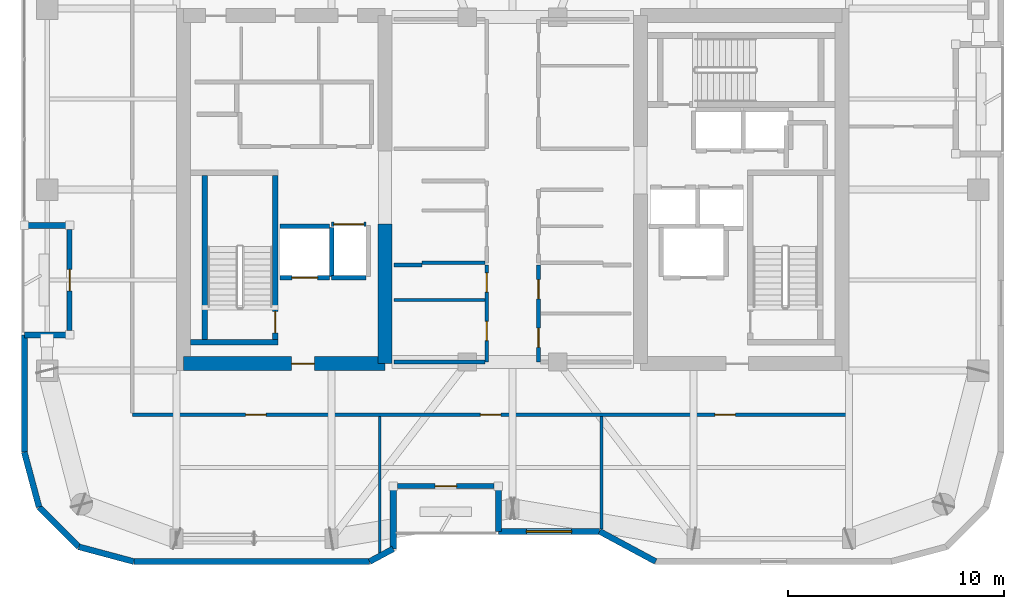
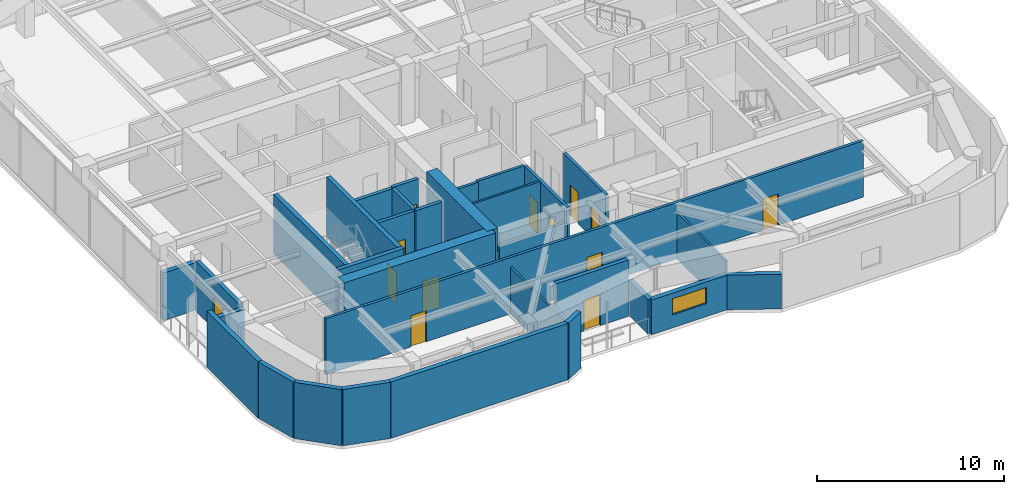
# One storey, part 15 of 21: 33 walls, 13 doors, 1 window, 14 openings.
"""IFC4 building model written with IfcOpenShell, lengths in metres."""

from ifc_helpers import new_model, si_unit, direction, frame, frame_2d, origin, place, context, subcontext, project, spatial, rectangle, extrude, material, layer, layer_set, type_object, element, fill, save


model = new_model("IFC4")

# Units and contexts
model_context = context("Model", 3, precision=1e-05, world=origin(), true_north=direction((0.0, 1.0)))
body_context = subcontext(model_context, "Body", "Model", "MODEL_VIEW")
ifc_project = project(units=[si_unit("LENGTHUNIT", "METRE"), si_unit("AREAUNIT", "SQUARE_METRE"), si_unit("VOLUMEUNIT", "CUBIC_METRE"), si_unit("PLANEANGLEUNIT", "RADIAN"), si_unit("MASSUNIT", "GRAM", prefix="KILO")], contexts=[model_context])

# Site, building, storey
site_placement = place(None, origin())
site = spatial("IfcSite", under=ifc_project, at=site_placement, CompositionType="ELEMENT")
building_placement = place(site_placement, origin())
building = spatial("IfcBuilding", under=site, at=building_placement, Name="Kiyonajd Concourse Tower", CompositionType="ELEMENT")
storey_placement = place(building_placement, frame((0.0, 0.0, 231.0)))
storey = spatial("IfcBuildingStorey", under=building, at=storey_placement, Name="L58", CompositionType="ELEMENT", Elevation=231.0)

# Wall
ifc_material_1 = material(Name="Concrete C60/75", Category="concrete")
ifc_layer_1 = layer(ifc_material_1, 0.64990234375)
ifc_layer_set_1 = layer_set([ifc_layer_1], Name="Concrete C60/75")
wall_type_1 = type_object("IfcWallType", Name="WL-CORE-650", PredefinedType="SHEAR", material=ifc_layer_set_1)
wall_1_placement = place(storey_placement, frame((42.074951171875, 27.925048828125, 0.0), z_axis=(0.0, 0.0, 1.0), x_axis=(0.0, 1.0, 0.0)))
element("IfcWall", 1, at=wall_1_placement, inside=storey, type_object=wall_type_1, Name="L58 West Core Inner South Shear Wall", PredefinedType="SHEAR", context=body_context, shape_type="SweptSolid", body=[
    extrude(rectangle(XDim=6.474853515625, YDim=0.64990234375, at=frame_2d((3.2373046875, 0.0))), origin(), (0.0, 0.0, 1.0), 3.89990234375),
])

# Wall, opening, door
wall_2_placement = place(storey_placement, frame((32.72509765625, 27.925048828125, 0.0), z_axis=(0.0, 0.0, 1.0), x_axis=(1.0, 0.0, 0.0)))
wall_2 = element("IfcWall", 2, at=wall_2_placement, inside=storey, type_object=wall_type_1, Name="L58 West Core South Shear Wall", PredefinedType="SHEAR", context=body_context, shape_type="SweptSolid", body=[
    extrude(rectangle(XDim=9.349853515625, YDim=0.64990234375, at=frame_2d((4.6748046875, 0.0))), origin(), (0.0, 0.0, 1.0), 3.89990234375),
])
opening_1_placement = place(wall_2_placement, frame((5.02490234375, 0.0, 0.0)))
opening_1 = element("IfcOpeningElement", 3, at=opening_1_placement, cuts=wall_2, Name="Opening DF5", PredefinedType="OPENING", context=body_context, shape_type="SweptSolid", body=[
    extrude(rectangle(XDim=1.050048828125, YDim=2.0400390625, at=frame_2d((0.52490234375, 1.02001953125))), frame((0.0, 0.3349609375, 0.0), z_axis=(0.0, -1.0, 0.0), x_axis=(1.0, 0.0, 0.0)), (0.0, 0.0, 1.0), 0.669921875),
])
ifc_material_2 = material(Name="Brushed Stainless Steel Cab Assembly", Category="steel")
door_type_1 = type_object("IfcDoorType", Name="DR-FD45-1050", OperationType="NOTDEFINED", PredefinedType="DOOR", material=ifc_material_2)
door_1_placement = place(opening_1_placement, origin())
door_1 = element("IfcDoor", 4, at=door_1_placement, inside=storey, type_object=door_type_1, Name="L58 Firefighting Lift Lobby W Smoke Door", OperationType="SINGLE_SWING_LEFT", OverallHeight=2.0400390625, OverallWidth=1.050048828125, PredefinedType="DOOR", context=body_context, shape_type="SweptSolid", body=[
    extrude(rectangle(XDim=1.050048828125, YDim=2.0400390625, at=frame_2d((0.52490234375, 1.02001953125))), frame((0.0, 0.02490234375, 0.0), z_axis=(0.0, -1.0, 0.0), x_axis=(1.0, 0.0, 0.0)), (0.0, 0.0, 1.0), 0.050048828125),
])
fill(opening_1, door_1)

# Walls
ifc_material_3 = material(Name="Precast concrete C50/60", Category="concrete")
ifc_layer_2 = layer(ifc_material_3, 0.280029296875)
ifc_layer_set_2 = layer_set([ifc_layer_2], Name="Precast concrete C50/60")
wall_type_2 = type_object("IfcWallType", Name="WL-EXT-280", PredefinedType="SOLIDWALL", material=ifc_layer_set_2)
wall_3_placement = place(storey_placement, frame((26.0224609375, 21.2724609375, 0.0), z_axis=(0.0, 0.0, 1.0), x_axis=(-0.2588904131, 0.965906700466, 0.0)))
element("IfcWall", 5, at=wall_3_placement, inside=storey, type_object=wall_type_2, Name="L58 Exterior Concrete Frame Wall 00", PredefinedType="SOLIDWALL", context=body_context, shape_type="SweptSolid", body=[
    extrude(rectangle(XDim=2.6357421875, YDim=0.280029296875, at=frame_2d((1.31787109375, 0.0))), origin(), (0.0, 0.0, 1.0), 3.679931640625),
])
wall_4_placement = place(storey_placement, frame((25.340087890625, 23.818359375, 0.0), z_axis=(0.0, 0.0, 1.0), x_axis=(0.0, 1.0, 0.0)))
element("IfcWall", 6, at=wall_4_placement, inside=storey, type_object=wall_type_2, Name="L58 Exterior Concrete Frame Wall 01", PredefinedType="SOLIDWALL", context=body_context, shape_type="SweptSolid", body=[
    extrude(rectangle(XDim=5.441650390625, YDim=0.280029296875, at=frame_2d((2.720703125, 0.0))), origin(), (0.0, 0.0, 1.0), 3.679931640625),
])
for number, where, z_axis, x_axis, name in (
    (7, (25.340087890625, 29.260009765625, 0.0), (0.0, 0.0, 1.0), (1.0, 0.0, 0.0), "L58 Exterior Concrete Frame Wall 02"),
    (8, (27.43994140625, 34.340087890625, 0.0), (0.0, 0.0, 1.0), (-1.0, 0.0, 0.0), "L58 Exterior Concrete Frame Wall 04"),
):
    element("IfcWall", number, at=place(storey_placement, frame(where, z_axis=z_axis, x_axis=x_axis)), inside=storey, type_object=wall_type_2, Name=name, PredefinedType="SOLIDWALL", context=body_context, shape_type="SweptSolid", body=[
        extrude(rectangle(XDim=2.099853515625, YDim=0.280029296875, at=frame_2d((1.0498046875, 0.0))), origin(), (0.0, 0.0, 1.0), 3.115966796875),
    ])
wall_5_placement = place(storey_placement, frame((54.63525390625, 18.739990234375, 0.0), z_axis=(0.0, 0.0, 1.0), x_axis=(-0.880473754814, 0.474094892488, 0.0)))
element("IfcWall", 9, at=wall_5_placement, inside=storey, type_object=wall_type_2, Name="L58 Exterior Concrete Frame Wall 29", PredefinedType="SOLIDWALL", context=body_context, shape_type="SweptSolid", body=[
    extrude(rectangle(XDim=2.952880859375, YDim=0.280029296875, at=frame_2d((1.4765625, 0.0))), origin(), (0.0, 0.0, 1.0), 2.264892578125),
])

# Wall, opening, window
wall_6_placement = place(storey_placement, frame((52.035400390625, 20.139892578125, 0.0), z_axis=(0.0, 0.0, 1.0), x_axis=(-1.0, 0.0, 0.0)))
wall_6 = element("IfcWall", 10, at=wall_6_placement, inside=storey, type_object=wall_type_2, Name="L58 Exterior Concrete Frame Wall 30", PredefinedType="SOLIDWALL", context=body_context, shape_type="SweptSolid", body=[
    extrude(rectangle(XDim=4.6953125, YDim=0.280029296875, at=frame_2d((2.34765625, 0.0))), origin(), (0.0, 0.0, 1.0), 2.264892578125),
])
opening_2_placement = place(wall_6_placement, frame((1.298095703125, 0.0, 0.85009765625)))
opening_2 = element("IfcOpeningElement", 11, at=opening_2_placement, cuts=wall_6, Name="Opening WN5", PredefinedType="OPENING", context=body_context, shape_type="SweptSolid", body=[
    extrude(rectangle(XDim=2.10009765625, YDim=1.050048828125, at=frame_2d((1.050048828125, 0.52490234375))), frame((0.0, 0.14990234375, 0.0), z_axis=(0.0, -1.0, 0.0), x_axis=(1.0, 0.0, 0.0)), (0.0, 0.0, 1.0), 0.300048828125),
])
ifc_material_4 = material(Name="Double Low-E Insulated Glass", Category="glass")
window_type = type_object("IfcWindowType", Name="WN-VIS-2100x1050", PartitioningType="SINGLE_PANEL", PredefinedType="WINDOW", material=ifc_material_4)
window_placement = place(opening_2_placement, origin())
window = element("IfcWindow", 12, at=window_placement, inside=storey, type_object=window_type, Name="L58 Modular Facade Vision Window 30", OverallHeight=1.050048828125, OverallWidth=2.10009765625, PartitioningType="SINGLE_PANEL", PredefinedType="WINDOW", context=body_context, shape_type="SweptSolid", body=[
    extrude(rectangle(XDim=2.10009765625, YDim=1.050048828125, at=frame_2d((1.050048828125, 0.52490234375))), frame((0.0, 0.030029296875, 0.0), z_axis=(0.0, -1.0, 0.0), x_axis=(1.0, 0.0, 0.0)), (0.0, 0.0, 1.0), 0.06005859375),
])
fill(opening_2, window)

# Walls
wall_7_placement = place(storey_placement, frame((47.340087890625, 20.139892578125, 0.0), z_axis=(0.0, 0.0, 1.0), x_axis=(0.0, 1.0, 0.0)))
element("IfcWall", 13, at=wall_7_placement, inside=storey, type_object=wall_type_2, Name="L58 Exterior Concrete Frame Wall 31", PredefinedType="SOLIDWALL", context=body_context, shape_type="SweptSolid", body=[
    extrude(rectangle(XDim=2.10009765625, YDim=0.280029296875, at=frame_2d((1.050048828125, 0.0))), origin(), (0.0, 0.0, 1.0), 2.264892578125),
])
wall_8_placement = place(storey_placement, frame((42.4599609375, 22.239990234375, 0.0), z_axis=(0.0, 0.0, 1.0), x_axis=(0.0, -1.0, 0.0)))
element("IfcWall", 14, at=wall_8_placement, inside=storey, type_object=wall_type_2, Name="L58 Exterior Concrete Frame Wall 33", PredefinedType="SOLIDWALL", context=body_context, shape_type="SweptSolid", body=[
    extrude(rectangle(XDim=2.910400390625, YDim=0.280029296875, at=frame_2d((1.455078125, 0.0))), origin(), (0.0, 0.0, 1.0), 2.264892578125),
])
wall_9_placement = place(storey_placement, frame((42.4599609375, 19.32958984375, 0.0), z_axis=(0.0, 0.0, 1.0), x_axis=(-0.880515214249, -0.474017887296, 0.0)))
element("IfcWall", 15, at=wall_9_placement, inside=storey, type_object=wall_type_2, Name="L58 Exterior Concrete Frame Wall 34", PredefinedType="SOLIDWALL", context=body_context, shape_type="SweptSolid", body=[
    extrude(rectangle(XDim=1.243896484375, YDim=0.280029296875, at=frame_2d((0.6220703125, 0.0))), origin(), (0.0, 0.0, 1.0), 3.679931640625),
])
wall_10_placement = place(storey_placement, frame((41.36474609375, 18.739990234375, 0.0), z_axis=(0.0, 0.0, 1.0), x_axis=(-1.0, 0.0, 0.0)))
element("IfcWall", 16, at=wall_10_placement, inside=storey, type_object=wall_type_2, Name="L58 Exterior Concrete Frame Wall 35", PredefinedType="SOLIDWALL", context=body_context, shape_type="SweptSolid", body=[
    extrude(rectangle(XDim=10.9462890625, YDim=0.280029296875, at=frame_2d((5.47314453125, 0.0))), origin(), (0.0, 0.0, 1.0), 3.679931640625),
])
wall_11_placement = place(storey_placement, frame((30.41845703125, 18.739990234375, 0.0), z_axis=(0.0, 0.0, 1.0), x_axis=(-0.965883534663, 0.258976828051, 0.0)))
element("IfcWall", 17, at=wall_11_placement, inside=storey, type_object=wall_type_2, Name="L58 Exterior Concrete Frame Wall 36", PredefinedType="SOLIDWALL", context=body_context, shape_type="SweptSolid", body=[
    extrude(rectangle(XDim=2.6357421875, YDim=0.280029296875, at=frame_2d((1.31787109375, 0.0))), origin(), (0.0, 0.0, 1.0), 3.679931640625),
])
wall_12_placement = place(storey_placement, frame((27.87255859375, 19.422607421875, 0.0), z_axis=(0.0, 0.0, 1.0), x_axis=(-0.707153437963, 0.707060121331, 0.0)))
element("IfcWall", 18, at=wall_12_placement, inside=storey, type_object=wall_type_2, Name="L58 Exterior Concrete Frame Wall 37", PredefinedType="SOLIDWALL", context=body_context, shape_type="SweptSolid", body=[
    extrude(rectangle(XDim=2.6162109375, YDim=0.280029296875, at=frame_2d((1.30810546875, 0.0))), origin(), (0.0, 0.0, 1.0), 3.679931640625),
])

# Wall, opening, door
ifc_layer_3 = layer(ifc_material_3, 0.239990234375)
ifc_layer_set_3 = layer_set([ifc_layer_3], Name="Precast concrete C50/60")
wall_type_3 = type_object("IfcWallType", Name="WL-LOG-240", PredefinedType="SOLIDWALL", material=ifc_layer_set_3)
wall_13_placement = place(storey_placement, frame((27.43994140625, 29.455078125, 0.0), z_axis=(0.0, 0.0, 1.0), x_axis=(0.0, 1.0, 0.0)))
wall_13 = element("IfcWall", 19, at=wall_13_placement, inside=storey, type_object=wall_type_3, Name="L58 Recessed Loggia Thermal Wall LOG-W", PredefinedType="SOLIDWALL", context=body_context, shape_type="SweptSolid", body=[
    extrude(rectangle(XDim=4.68994140625, YDim=0.239990234375, at=frame_2d((2.344970703125, 0.0))), origin(), (0.0, 0.0, 1.0), 3.248046875),
])
opening_3_placement = place(wall_13_placement, frame((1.844970703125, 0.0, 0.0)))
opening_3 = element("IfcOpeningElement", 20, at=opening_3_placement, cuts=wall_13, Name="Opening DL1", PredefinedType="OPENING", context=body_context, shape_type="SweptSolid", body=[
    extrude(rectangle(XDim=1.0, YDim=2.02001953125, at=frame_2d((0.5, 1.010009765625))), frame((0.0, 0.1298828125, 0.0), z_axis=(0.0, -1.0, 0.0), x_axis=(1.0, 0.0, 0.0)), (0.0, 0.0, 1.0), 0.260009765625),
])
ifc_material_5 = material(Name="Thermally Broken Anodised Aluminium", Category="aluminium")
door_type_2 = type_object("IfcDoorType", Name="DR-LOG-1000", OperationType="NOTDEFINED", PredefinedType="DOOR", material=ifc_material_5)
door_2_placement = place(opening_3_placement, origin())
door_2 = element("IfcDoor", 21, at=door_2_placement, inside=storey, type_object=door_type_2, Name="L58 Engawa Loggia Access Door LOG-W", OperationType="SINGLE_SWING_LEFT", OverallHeight=2.02001953125, OverallWidth=1.0, PredefinedType="DOOR", context=body_context, shape_type="SweptSolid", body=[
    extrude(rectangle(XDim=1.0, YDim=2.02001953125, at=frame_2d((0.5, 1.010009765625))), frame((0.0, 0.02490234375, 0.0), z_axis=(0.0, -1.0, 0.0), x_axis=(1.0, 0.0, 0.0)), (0.0, 0.0, 1.0), 0.050048828125),
])
fill(opening_3, door_2)

wall_14_placement = place(storey_placement, frame((47.14501953125, 22.239990234375, 0.0), z_axis=(0.0, 0.0, 1.0), x_axis=(-1.0, 0.0, 0.0)))
wall_14 = element("IfcWall", 22, at=wall_14_placement, inside=storey, type_object=wall_type_3, Name="L58 Recessed Loggia Thermal Wall LOG-S", PredefinedType="SOLIDWALL", context=body_context, shape_type="SweptSolid", body=[
    extrude(rectangle(XDim=4.489990234375, YDim=0.239990234375, at=frame_2d((2.2451171875, 0.0))), origin(), (0.0, 0.0, 1.0), 3.679931640625),
])
opening_4_placement = place(wall_14_placement, frame((1.7451171875, 0.0, 0.0)))
opening_4 = element("IfcOpeningElement", 23, at=opening_4_placement, cuts=wall_14, Name="Opening DL1", PredefinedType="OPENING", context=body_context, shape_type="SweptSolid", body=[
    extrude(rectangle(XDim=1.0, YDim=2.02001953125, at=frame_2d((0.5, 1.010009765625))), frame((0.0, 0.1298828125, 0.0), z_axis=(0.0, -1.0, 0.0), x_axis=(1.0, 0.0, 0.0)), (0.0, 0.0, 1.0), 0.260009765625),
])
door_3_placement = place(opening_4_placement, origin())
door_3 = element("IfcDoor", 24, at=door_3_placement, inside=storey, type_object=door_type_2, Name="L58 Engawa Loggia Access Door LOG-S", OperationType="SINGLE_SWING_RIGHT", OverallHeight=2.02001953125, OverallWidth=1.0, PredefinedType="DOOR", context=body_context, shape_type="SweptSolid", body=[
    extrude(rectangle(XDim=1.0, YDim=2.02001953125, at=frame_2d((0.5, 1.010009765625))), frame((0.0, 0.02490234375, 0.0), z_axis=(0.0, -1.0, 0.0), x_axis=(1.0, 0.0, 0.0)), (0.0, 0.0, 1.0), 0.050048828125),
])
fill(opening_4, door_3)

# Walls
ifc_material_6 = material(Name="Gypsum Board on Cold-Formed Steel Stud", Category="steel")
ifc_layer_4 = layer(ifc_material_6, 0.125)
ifc_layer_set_4 = layer_set([ifc_layer_4], Name="Gypsum Board on Cold-Formed Steel Stud")
wall_type_4 = type_object("IfcWallType", Name="WL-PART-125", PredefinedType="PARTITIONING", material=ifc_layer_set_4)
wall_15_placement = place(storey_placement, frame((42.5, 30.8798828125, 0.0), z_axis=(0.0, 0.0, 1.0), x_axis=(1.0, 0.0, 0.0)))
element("IfcWall", 25, at=wall_15_placement, inside=storey, type_object=wall_type_4, Name="L58 Interior Partition Wall", PredefinedType="PARTITIONING", context=body_context, shape_type="SweptSolid", body=[
    extrude(rectangle(XDim=4.212890625, YDim=0.125, at=frame_2d((2.1064453125, 0.0))), origin(), (0.0, 0.0, 1.0), 3.679931640625),
])
wall_16_placement = place(storey_placement, frame((41.830078125, 19.14599609375, 0.0), z_axis=(0.0, 0.0, 1.0), x_axis=(0.0, 1.0, 0.0)))
element("IfcWall", 26, at=wall_16_placement, inside=storey, type_object=wall_type_4, Name="L58 Interior Partition Wall", PredefinedType="PARTITIONING", context=body_context, shape_type="SweptSolid", body=[
    extrude(rectangle(XDim=6.31689453125, YDim=0.125, at=frame_2d((3.158447265625, 0.0))), origin(), (0.0, 0.0, 1.0), 3.04296875),
])
wall_17_placement = place(storey_placement, frame((52.1201171875, 20.25, 0.0), z_axis=(0.0, 0.0, 1.0), x_axis=(0.0, 1.0, 0.0)))
element("IfcWall", 27, at=wall_17_placement, inside=storey, type_object=wall_type_4, Name="L58 Interior Partition Wall", PredefinedType="PARTITIONING", context=body_context, shape_type="SweptSolid", body=[
    extrude(rectangle(XDim=5.212890625, YDim=0.125, at=frame_2d((2.6064453125, 0.0))), origin(), (0.0, 0.0, 1.0), 3.04296875),
])

# Wall, opening, door
ifc_layer_5 = layer(ifc_material_6, 0.2099609375)
ifc_layer_set_5 = layer_set([ifc_layer_5], Name="Gypsum Board on Cold-Formed Steel Stud")
wall_type_5 = type_object("IfcWallType", Name="WL-SHAFT-210", PredefinedType="PARTITIONING", material=ifc_layer_set_5)
wall_18_placement = place(storey_placement, frame((37.199951171875, 31.89990234375, 0.0), z_axis=(0.0, 0.0, 1.0), x_axis=(1.0, 0.0, 0.0)))
wall_18 = element("IfcWall", 28, at=wall_18_placement, inside=storey, type_object=wall_type_5, Name="L58 Shaft Enclosure Wall", PredefinedType="PARTITIONING", context=body_context, shape_type="SweptSolid", body=[
    extrude(rectangle(XDim=2.300048828125, YDim=0.2099609375, at=frame_2d((1.14990234375, 0.0))), origin(), (0.0, 0.0, 1.0), 3.679931640625),
])
opening_5_placement = place(wall_18_placement, frame((0.550048828125, 0.0, 0.0)))
opening_5 = element("IfcOpeningElement", 29, at=opening_5_placement, cuts=wall_18, Name="Opening LD2", PredefinedType="OPENING", context=body_context, shape_type="SweptSolid", body=[
    extrude(rectangle(XDim=1.199951171875, YDim=2.0400390625, at=frame_2d((0.60009765625, 1.02001953125))), frame((0.0, 0.114990234375, 0.0), z_axis=(0.0, -1.0, 0.0), x_axis=(1.0, 0.0, 0.0)), (0.0, 0.0, 1.0), 0.22998046875),
])
door_type_3 = type_object("IfcDoorType", Name="DR-LD-1200", OperationType="DOUBLE_DOOR_SLIDING", PredefinedType="DOOR", material=ifc_material_2)
door_4_placement = place(opening_5_placement, origin())
door_4 = element("IfcDoor", 30, at=door_4_placement, inside=storey, type_object=door_type_3, Name="L58 Lift FFL1 Sliding Landing Door", OperationType="DOUBLE_DOOR_SLIDING", OverallHeight=2.0400390625, OverallWidth=1.199951171875, PredefinedType="DOOR", context=body_context, shape_type="SweptSolid", body=[
    extrude(rectangle(XDim=1.199951171875, YDim=2.0400390625, at=frame_2d((0.60009765625, 1.02001953125))), frame((0.0, 0.02490234375, 0.0), z_axis=(0.0, -1.0, 0.0), x_axis=(1.0, 0.0, 0.0)), (0.0, 0.0, 1.0), 0.050048828125),
])
fill(opening_5, door_4)

# Walls
wall_19_placement = place(storey_placement, frame((37.199951171875, 34.300048828125, 0.0), z_axis=(0.0, 0.0, 1.0), x_axis=(1.0, 0.0, 0.0)))
element("IfcWall", 31, at=wall_19_placement, inside=storey, type_object=wall_type_5, Name="L58 Shaft Enclosure Wall", PredefinedType="PARTITIONING", context=body_context, shape_type="SweptSolid", body=[
    extrude(rectangle(XDim=2.300048828125, YDim=0.2099609375, at=frame_2d((1.14990234375, 0.0))), origin(), (0.0, 0.0, 1.0), 3.679931640625),
])
wall_20_placement = place(storey_placement, frame((39.60009765625, 31.9599609375, 0.0), z_axis=(0.0, 0.0, 1.0), x_axis=(0.0, 1.0, 0.0)))
element("IfcWall", 32, at=wall_20_placement, inside=storey, type_object=wall_type_5, Name="L58 Shaft Enclosure Wall", PredefinedType="PARTITIONING", context=body_context, shape_type="SweptSolid", body=[
    extrude(rectangle(XDim=2.280029296875, YDim=0.2099609375, at=frame_2d((1.14013671875, 0.0))), origin(), (0.0, 0.0, 1.0), 3.679931640625),
])

# Wall, opening, door
wall_21_placement = place(storey_placement, frame((39.60009765625, 34.39990234375, 0.0), z_axis=(0.0, 0.0, 1.0), x_axis=(1.0, 0.0, 0.0)))
wall_21 = element("IfcWall", 33, at=wall_21_placement, inside=storey, type_object=wall_type_5, Name="L58 Shaft Enclosure Wall", PredefinedType="PARTITIONING", context=body_context, shape_type="SweptSolid", body=[
    extrude(rectangle(XDim=1.599853515625, YDim=0.2099609375, at=frame_2d((0.7998046875, 0.0))), origin(), (0.0, 0.0, 1.0), 3.679931640625),
])
opening_6_placement = place(wall_21_placement, frame((0.10009765625, 0.0, 0.0)))
opening_6 = element("IfcOpeningElement", 34, at=opening_6_placement, cuts=wall_21, Name="Opening LD3", PredefinedType="OPENING", context=body_context, shape_type="SweptSolid", body=[
    extrude(rectangle(XDim=1.39990234375, YDim=2.06005859375, at=frame_2d((0.699951171875, 1.030029296875))), frame((0.0, 0.114990234375, 0.0), z_axis=(0.0, -1.0, 0.0), x_axis=(1.0, 0.0, 0.0)), (0.0, 0.0, 1.0), 0.22998046875),
])
door_type_4 = type_object("IfcDoorType", Name="DR-LD-1400", OperationType="DOUBLE_DOOR_SLIDING", PredefinedType="DOOR", material=ifc_material_2)
door_5_placement = place(opening_6_placement, origin())
door_5 = element("IfcDoor", 35, at=door_5_placement, inside=storey, type_object=door_type_4, Name="L58 Lift SVL1 Sliding Landing Door", OperationType="DOUBLE_DOOR_SLIDING", OverallHeight=2.06005859375, OverallWidth=1.39990234375, PredefinedType="DOOR", context=body_context, shape_type="SweptSolid", body=[
    extrude(rectangle(XDim=1.39990234375, YDim=2.06005859375, at=frame_2d((0.699951171875, 1.030029296875))), frame((0.0, 0.02490234375, 0.0), z_axis=(0.0, -1.0, 0.0), x_axis=(1.0, 0.0, 0.0)), (0.0, 0.0, 1.0), 0.050048828125),
])
fill(opening_6, door_5)

# Walls
wall_22_placement = place(storey_placement, frame((39.60009765625, 31.89990234375, 0.0), z_axis=(0.0, 0.0, 1.0), x_axis=(1.0, 0.0, 0.0)))
element("IfcWall", 36, at=wall_22_placement, inside=storey, type_object=wall_type_5, Name="L58 Shaft Enclosure Wall", PredefinedType="PARTITIONING", context=body_context, shape_type="SweptSolid", body=[
    extrude(rectangle(XDim=1.599853515625, YDim=0.2099609375, at=frame_2d((0.7998046875, 0.0))), origin(), (0.0, 0.0, 1.0), 3.679931640625),
])
ifc_layer_6 = layer(ifc_material_6, 0.169921875)
ifc_layer_set_6 = layer_set([ifc_layer_6], Name="Gypsum Board on Cold-Formed Steel Stud")
wall_type_6 = type_object("IfcWallType", Name="WL-SMK-170", PredefinedType="PARTITIONING", material=ifc_layer_set_6)
wall_23_placement = place(storey_placement, frame((43.800048828125, 32.60009765625, 0.0), z_axis=(0.0, 0.0, 1.0), x_axis=(1.0, 0.0, 0.0)))
element("IfcWall", 37, at=wall_23_placement, inside=storey, type_object=wall_type_6, Name="L58 Interior Partition Wall", PredefinedType="PARTITIONING", context=body_context, shape_type="SweptSolid", body=[
    extrude(rectangle(XDim=2.912841796875, YDim=0.169921875, at=frame_2d((1.45654296875, 0.0))), origin(), (0.0, 0.0, 1.0), 3.679931640625),
])

# Wall, openings, doors
wall_24_placement = place(storey_placement, frame((46.800048828125, 28.0, 0.0), z_axis=(0.0, 0.0, 1.0), x_axis=(0.0, 1.0, 0.0)))
wall_24 = element("IfcWall", 38, at=wall_24_placement, inside=storey, type_object=wall_type_6, Name="L58 Interior Partition Wall", PredefinedType="PARTITIONING", context=body_context, shape_type="SweptSolid", body=[
    extrude(rectangle(XDim=4.5, YDim=0.169921875, at=frame_2d((2.25, 0.0))), origin(), (0.0, 0.0, 1.0), 3.679931640625),
])
opening_7_placement = place(wall_24_placement, frame((0.989990234375, 0.0, 0.0)))
opening_7 = element("IfcOpeningElement", 39, at=opening_7_placement, cuts=wall_24, Name="Opening DF4", PredefinedType="OPENING", context=body_context, shape_type="SweptSolid", body=[
    extrude(rectangle(XDim=0.89990234375, YDim=2.02001953125, at=frame_2d((0.449951171875, 1.010009765625))), frame((0.0, 0.094970703125, 0.0), z_axis=(0.0, -1.0, 0.0), x_axis=(1.0, 0.0, 0.0)), (0.0, 0.0, 1.0), 0.18994140625),
])
opening_8_placement = place(wall_24_placement, frame((3.239990234375, 0.0, 0.0)))
opening_8 = element("IfcOpeningElement", 40, at=opening_8_placement, cuts=wall_24, Name="Opening DF4", PredefinedType="OPENING", context=body_context, shape_type="SweptSolid", body=[
    extrude(rectangle(XDim=0.89990234375, YDim=2.02001953125, at=frame_2d((0.449951171875, 1.010009765625))), frame((0.0, 0.094970703125, 0.0), z_axis=(0.0, -1.0, 0.0), x_axis=(1.0, 0.0, 0.0)), (0.0, 0.0, 1.0), 0.18994140625),
])
door_type_5 = type_object("IfcDoorType", Name="DR-FD60-900", OperationType="NOTDEFINED", PredefinedType="DOOR", material=ifc_material_2)
door_6_placement = place(opening_7_placement, origin())
door_6 = element("IfcDoor", 41, at=door_6_placement, inside=storey, type_object=door_type_5, Name="L58 Interior Door", OperationType="SINGLE_SWING_RIGHT", OverallHeight=2.02001953125, OverallWidth=0.89990234375, PredefinedType="DOOR", context=body_context, shape_type="SweptSolid", body=[
    extrude(rectangle(XDim=0.89990234375, YDim=2.02001953125, at=frame_2d((0.449951171875, 1.010009765625))), frame((0.0, 0.02490234375, 0.0), z_axis=(0.0, -1.0, 0.0), x_axis=(1.0, 0.0, 0.0)), (0.0, 0.0, 1.0), 0.050048828125),
])
fill(opening_7, door_6)
door_7_placement = place(opening_8_placement, origin())
door_7 = element("IfcDoor", 42, at=door_7_placement, inside=storey, type_object=door_type_5, Name="L58 Interior Door", OperationType="SINGLE_SWING_LEFT", OverallHeight=2.02001953125, OverallWidth=0.89990234375, PredefinedType="DOOR", context=body_context, shape_type="SweptSolid", body=[
    extrude(rectangle(XDim=0.89990234375, YDim=2.02001953125, at=frame_2d((0.449951171875, 1.010009765625))), frame((0.0, 0.02490234375, 0.0), z_axis=(0.0, -1.0, 0.0), x_axis=(1.0, 0.0, 0.0)), (0.0, 0.0, 1.0), 0.050048828125),
])
fill(opening_8, door_7)

# Walls
wall_25_placement = place(storey_placement, frame((42.5, 28.0, 0.0), z_axis=(0.0, 0.0, 1.0), x_axis=(1.0, 0.0, 0.0)))
element("IfcWall", 43, at=wall_25_placement, inside=storey, type_object=wall_type_6, Name="L58 Interior Partition Wall", PredefinedType="PARTITIONING", context=body_context, shape_type="SweptSolid", body=[
    extrude(rectangle(XDim=4.212890625, YDim=0.169921875, at=frame_2d((2.1064453125, 0.0))), origin(), (0.0, 0.0, 1.0), 2.764892578125),
])
wall_26_placement = place(storey_placement, frame((42.5, 32.5, 0.0), z_axis=(0.0, 0.0, 1.0), x_axis=(1.0, 0.0, 0.0)))
element("IfcWall", 44, at=wall_26_placement, inside=storey, type_object=wall_type_6, Name="L58 Interior Partition Wall", PredefinedType="PARTITIONING", context=body_context, shape_type="SweptSolid", body=[
    extrude(rectangle(XDim=1.300048828125, YDim=0.169921875, at=frame_2d((0.64990234375, 0.0))), origin(), (0.0, 0.0, 1.0), 3.679931640625),
])

# Wall, openings, doors
wall_27_placement = place(storey_placement, frame((49.199951171875, 28.0, 0.0), z_axis=(0.0, 0.0, 1.0), x_axis=(0.0, 1.0, 0.0)))
wall_27 = element("IfcWall", 45, at=wall_27_placement, inside=storey, type_object=wall_type_6, Name="L58 Interior Partition Wall", PredefinedType="PARTITIONING", context=body_context, shape_type="SweptSolid", body=[
    extrude(rectangle(XDim=4.5, YDim=0.169921875, at=frame_2d((2.25, 0.0))), origin(), (0.0, 0.0, 1.0), 3.679931640625),
])
opening_9_placement = place(wall_27_placement, frame((0.675048828125, 0.0, 0.0)))
opening_9 = element("IfcOpeningElement", 46, at=opening_9_placement, cuts=wall_27, Name="Opening DI2", PredefinedType="OPENING", context=body_context, shape_type="SweptSolid", body=[
    extrude(rectangle(XDim=0.89990234375, YDim=2.02001953125, at=frame_2d((0.449951171875, 1.010009765625))), frame((0.0, 0.094970703125, 0.0), z_axis=(0.0, -1.0, 0.0), x_axis=(1.0, 0.0, 0.0)), (0.0, 0.0, 1.0), 0.18994140625),
])
opening_10_placement = place(wall_27_placement, frame((2.925048828125, 0.0, 0.0)))
opening_10 = element("IfcOpeningElement", 47, at=opening_10_placement, cuts=wall_27, Name="Opening DI2", PredefinedType="OPENING", context=body_context, shape_type="SweptSolid", body=[
    extrude(rectangle(XDim=0.89990234375, YDim=2.02001953125, at=frame_2d((0.449951171875, 1.010009765625))), frame((0.0, 0.094970703125, 0.0), z_axis=(0.0, -1.0, 0.0), x_axis=(1.0, 0.0, 0.0)), (0.0, 0.0, 1.0), 0.18994140625),
])
ifc_material_7 = material(Name="Natural Oak Acoustic Timber Veneer", Category="wood")
door_type_6 = type_object("IfcDoorType", Name="DR-INT-900", OperationType="NOTDEFINED", PredefinedType="DOOR", material=ifc_material_7)
door_8_placement = place(opening_9_placement, origin())
door_8 = element("IfcDoor", 48, at=door_8_placement, inside=storey, type_object=door_type_6, Name="L58 Interior Door", OperationType="SINGLE_SWING_RIGHT", OverallHeight=2.02001953125, OverallWidth=0.89990234375, PredefinedType="DOOR", context=body_context, shape_type="SweptSolid", body=[
    extrude(rectangle(XDim=0.89990234375, YDim=2.02001953125, at=frame_2d((0.449951171875, 1.010009765625))), frame((0.0, 0.02490234375, 0.0), z_axis=(0.0, -1.0, 0.0), x_axis=(1.0, 0.0, 0.0)), (0.0, 0.0, 1.0), 0.050048828125),
])
fill(opening_9, door_8)
door_9_placement = place(opening_10_placement, origin())
door_9 = element("IfcDoor", 49, at=door_9_placement, inside=storey, type_object=door_type_6, Name="L58 Interior Door", OperationType="SINGLE_SWING_LEFT", OverallHeight=2.02001953125, OverallWidth=0.89990234375, PredefinedType="DOOR", context=body_context, shape_type="SweptSolid", body=[
    extrude(rectangle(XDim=0.89990234375, YDim=2.02001953125, at=frame_2d((0.449951171875, 1.010009765625))), frame((0.0, 0.02490234375, 0.0), z_axis=(0.0, -1.0, 0.0), x_axis=(1.0, 0.0, 0.0)), (0.0, 0.0, 1.0), 0.050048828125),
])
fill(opening_10, door_9)

wall_28_placement = place(storey_placement, frame((30.35009765625, 25.550048828125, 0.0), z_axis=(0.0, 0.0, 1.0), x_axis=(1.0, 0.0, 0.0)))
wall_28 = element("IfcWall", 50, at=wall_28_placement, inside=storey, type_object=wall_type_6, Name="L58 Interior Partition Wall", PredefinedType="PARTITIONING", context=body_context, shape_type="SweptSolid", body=[
    extrude(rectangle(XDim=33.25, YDim=0.169921875, at=frame_2d((16.625, 0.0))), origin(), (0.0, 0.0, 1.0), 3.679931640625),
])
opening_11_placement = place(wall_28_placement, frame((5.264892578125, 0.0, 0.0)))
opening_11 = element("IfcOpeningElement", 51, at=opening_11_placement, cuts=wall_28, Name="Opening DI1", PredefinedType="OPENING", context=body_context, shape_type="SweptSolid", body=[
    extrude(rectangle(XDim=0.949951171875, YDim=2.0400390625, at=frame_2d((0.47509765625, 1.02001953125))), frame((0.0, 0.094970703125, 0.0), z_axis=(0.0, -1.0, 0.0), x_axis=(1.0, 0.0, 0.0)), (0.0, 0.0, 1.0), 0.18994140625),
])
opening_12_placement = place(wall_28_placement, frame((16.14990234375, 0.0, 0.0)))
opening_12 = element("IfcOpeningElement", 52, at=opening_12_placement, cuts=wall_28, Name="Opening DI1", PredefinedType="OPENING", context=body_context, shape_type="SweptSolid", body=[
    extrude(rectangle(XDim=0.949951171875, YDim=2.0400390625, at=frame_2d((0.47509765625, 1.02001953125))), frame((0.0, 0.094970703125, 0.0), z_axis=(0.0, -1.0, 0.0), x_axis=(1.0, 0.0, 0.0)), (0.0, 0.0, 1.0), 0.18994140625),
])
opening_13_placement = place(wall_28_placement, frame((27.034912109375, 0.0, 0.0)))
opening_13 = element("IfcOpeningElement", 53, at=opening_13_placement, cuts=wall_28, Name="Opening DI1", PredefinedType="OPENING", context=body_context, shape_type="SweptSolid", body=[
    extrude(rectangle(XDim=0.949951171875, YDim=2.0400390625, at=frame_2d((0.47509765625, 1.02001953125))), frame((0.0, 0.094970703125, 0.0), z_axis=(0.0, -1.0, 0.0), x_axis=(1.0, 0.0, 0.0)), (0.0, 0.0, 1.0), 0.18994140625),
])
door_type_7 = type_object("IfcDoorType", Name="DR-INT-950", OperationType="NOTDEFINED", PredefinedType="DOOR", material=ifc_material_7)
door_10_placement = place(opening_11_placement, origin())
door_10 = element("IfcDoor", 54, at=door_10_placement, inside=storey, type_object=door_type_7, Name="L58 Interior Door", OperationType="SINGLE_SWING_LEFT", OverallHeight=2.0400390625, OverallWidth=0.949951171875, PredefinedType="DOOR", context=body_context, shape_type="SweptSolid", body=[
    extrude(rectangle(XDim=0.949951171875, YDim=2.0400390625, at=frame_2d((0.47509765625, 1.02001953125))), frame((0.0, 0.02490234375, 0.0), z_axis=(0.0, -1.0, 0.0), x_axis=(1.0, 0.0, 0.0)), (0.0, 0.0, 1.0), 0.050048828125),
])
fill(opening_11, door_10)
door_11_placement = place(opening_12_placement, origin())
door_11 = element("IfcDoor", 55, at=door_11_placement, inside=storey, type_object=door_type_7, Name="L58 Interior Door", OperationType="SINGLE_SWING_RIGHT", OverallHeight=2.0400390625, OverallWidth=0.949951171875, PredefinedType="DOOR", context=body_context, shape_type="SweptSolid", body=[
    extrude(rectangle(XDim=0.949951171875, YDim=2.0400390625, at=frame_2d((0.47509765625, 1.02001953125))), frame((0.0, 0.02490234375, 0.0), z_axis=(0.0, -1.0, 0.0), x_axis=(1.0, 0.0, 0.0)), (0.0, 0.0, 1.0), 0.050048828125),
])
fill(opening_12, door_11)
door_12_placement = place(opening_13_placement, origin())
door_12 = element("IfcDoor", 56, at=door_12_placement, inside=storey, type_object=door_type_7, Name="L58 Interior Door", OperationType="SINGLE_SWING_LEFT", OverallHeight=2.0400390625, OverallWidth=0.949951171875, PredefinedType="DOOR", context=body_context, shape_type="SweptSolid", body=[
    extrude(rectangle(XDim=0.949951171875, YDim=2.0400390625, at=frame_2d((0.47509765625, 1.02001953125))), frame((0.0, 0.02490234375, 0.0), z_axis=(0.0, -1.0, 0.0), x_axis=(1.0, 0.0, 0.0)), (0.0, 0.0, 1.0), 0.050048828125),
])
fill(opening_13, door_12)

# Walls
ifc_material_8 = material(Name="Concrete C50/60", Category="concrete")
ifc_layer_7 = layer(ifc_material_8, 0.260009765625)
ifc_layer_set_7 = layer_set([ifc_layer_7], Name="Concrete C50/60")
wall_type_7 = type_object("IfcWallType", Name="WL-STAIR-260", PredefinedType="SHEAR", material=ifc_layer_set_7)
wall_29_placement = place(storey_placement, frame((33.050048828125, 28.919921875, 0.0), z_axis=(0.0, 0.0, 1.0), x_axis=(1.0, 0.0, 0.0)))
element("IfcWall", 57, at=wall_29_placement, inside=storey, type_object=wall_type_7, Name="L58 Stair ST1 Structural South Wall", PredefinedType="SHEAR", context=body_context, shape_type="SweptSolid", body=[
    extrude(rectangle(XDim=4.06005859375, YDim=0.260009765625, at=frame_2d((2.030029296875, 0.0))), origin(), (0.0, 0.0, 1.0), 3.89990234375),
])
wall_30_placement = place(storey_placement, frame((33.719970703125, 29.050048828125, 0.0), z_axis=(0.0, 0.0, 1.0), x_axis=(0.0, 1.0, 0.0)))
element("IfcWall", 58, at=wall_30_placement, inside=storey, type_object=wall_type_7, Name="L58 Stair ST1 Structural West Wall", PredefinedType="SHEAR", context=body_context, shape_type="SweptSolid", body=[
    extrude(rectangle(XDim=7.599853515625, YDim=0.260009765625, at=frame_2d((3.7998046875, 0.0))), origin(), (0.0, 0.0, 1.0), 3.89990234375),
])

# Wall, opening, door
wall_31_placement = place(storey_placement, frame((36.97998046875, 29.050048828125, 0.0), z_axis=(0.0, 0.0, 1.0), x_axis=(0.0, 1.0, 0.0)))
wall_31 = element("IfcWall", 59, at=wall_31_placement, inside=storey, type_object=wall_type_7, Name="L58 Stair ST1 Structural East Wall", PredefinedType="SHEAR", context=body_context, shape_type="SweptSolid", body=[
    extrude(rectangle(XDim=7.599853515625, YDim=0.260009765625, at=frame_2d((3.7998046875, 0.0))), origin(), (0.0, 0.0, 1.0), 3.89990234375),
])
opening_14_placement = place(wall_31_placement, frame((0.300048828125, 0.0, 0.0)))
opening_14 = element("IfcOpeningElement", 60, at=opening_14_placement, cuts=wall_31, Name="Opening DF1", PredefinedType="OPENING", context=body_context, shape_type="SweptSolid", body=[
    extrude(rectangle(XDim=1.0, YDim=2.0400390625, at=frame_2d((0.5, 1.02001953125))), frame((0.0, 0.139892578125, 0.0), z_axis=(0.0, -1.0, 0.0), x_axis=(1.0, 0.0, 0.0)), (0.0, 0.0, 1.0), 0.280029296875),
])
door_type_8 = type_object("IfcDoorType", Name="DR-FD90-1000", OperationType="NOTDEFINED", PredefinedType="DOOR", material=ifc_material_2)
door_13_placement = place(opening_14_placement, origin())
door_13 = element("IfcDoor", 61, at=door_13_placement, inside=storey, type_object=door_type_8, Name="L58 Stair ST1 FSAE Door", OperationType="SINGLE_SWING_LEFT", OverallHeight=2.0400390625, OverallWidth=1.0, PredefinedType="DOOR", context=body_context, shape_type="SweptSolid", body=[
    extrude(rectangle(XDim=1.0, YDim=2.0400390625, at=frame_2d((0.5, 1.02001953125))), frame((0.0, 0.02490234375, 0.0), z_axis=(0.0, -1.0, 0.0), x_axis=(1.0, 0.0, 0.0)), (0.0, 0.0, 1.0), 0.050048828125),
])
fill(opening_14, door_13)

save(model, "model.ifc")
